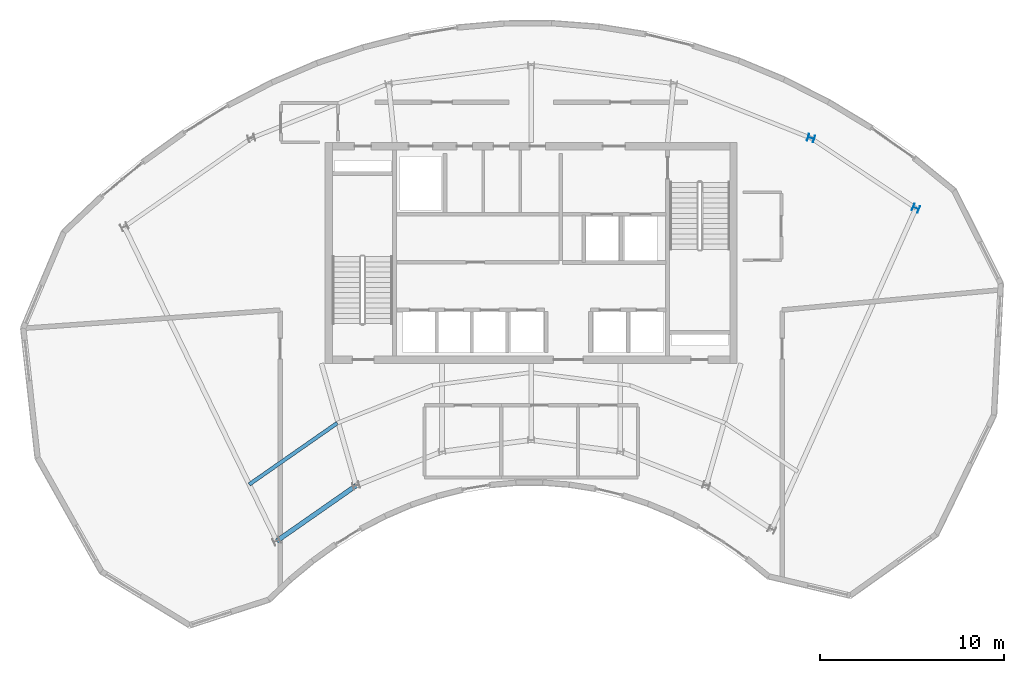
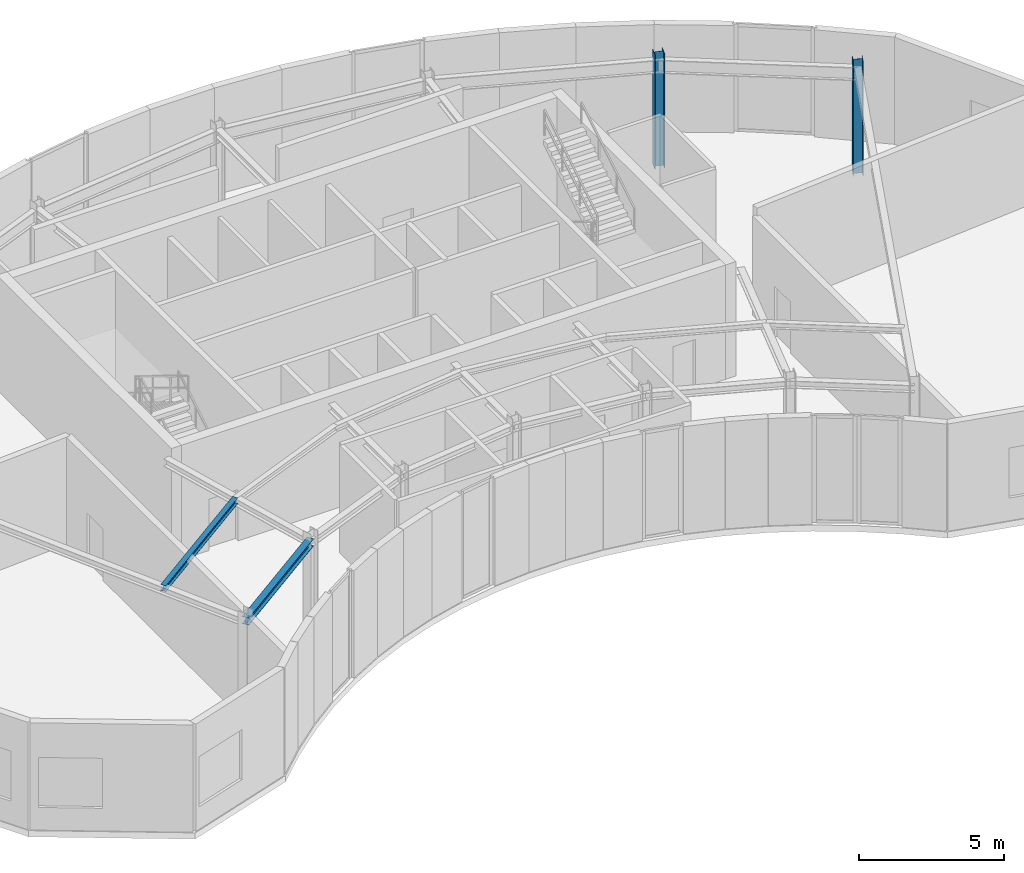
# One storey, part 2 of 10: 2 beams, 2 columns.
"""IFC4 building model written with IfcOpenShell, lengths in metres."""

from ifc_helpers import new_model, si_unit, direction, frame, origin, origin_2d, place, context, subcontext, project, spatial, i_section, extrude, source, transform, mapped, material, material_profile, profile_set, type_object, type_shapes, element, save


model = new_model("IFC4")

# Units and contexts
model_context = context("Model", 3, precision=1e-05, world=origin(), true_north=direction((0.0, 1.0)))
body_context = subcontext(model_context, "Body", "Model", "MODEL_VIEW")
ifc_project = project(units=[si_unit("LENGTHUNIT", "METRE"), si_unit("AREAUNIT", "SQUARE_METRE"), si_unit("VOLUMEUNIT", "CUBIC_METRE"), si_unit("PLANEANGLEUNIT", "RADIAN"), si_unit("MASSUNIT", "GRAM", prefix="KILO")], contexts=[model_context])

# Site, building, storey
site_placement = place(None, origin())
site = spatial("IfcSite", under=ifc_project, at=site_placement, CompositionType="ELEMENT")
building_placement = place(site_placement, origin())
building = spatial("IfcBuilding", under=site, at=building_placement, Name="Breltana Convention Tower", CompositionType="ELEMENT")
storey_placement = place(building_placement, frame((0.0, 0.0, 307.800048828125)))
storey = spatial("IfcBuildingStorey", under=building, at=storey_placement, Name="L75", CompositionType="ELEMENT", Elevation=307.800048828125)

# Columns
ifc_material = material(Name="Steel ASTM A992 Grade 50", Category="steel")
ifc_material_profile_1 = material_profile(ifc_material, i_section(OverallWidth=0.368896484375, OverallDepth=0.35595703125, WebThickness=0.01123046875, FlangeThickness=0.01806640625, at=origin_2d()), Name="W14X90")
ifc_profile_set_1 = profile_set([ifc_material_profile_1], Name="Steel ASTM A992 Grade 50")
column_type = type_object("IfcColumnType", Name="COL-STL-W14X90", PredefinedType="COLUMN", material=ifc_profile_set_1)
shared_shape_1 = source(origin(), body_context, "Body", "SweptSolid", [
    extrude(i_section(OverallWidth=0.368896484375, OverallDepth=0.35595703125, WebThickness=0.01123046875, FlangeThickness=0.01806640625, at=origin_2d()), origin(), (0.0, 0.0, 1.0), 4.800048828125),
])
type_shapes(column_type, [shared_shape_1])
for number, where, z_axis, x_axis, name in (
    (1, (63.208984375, 72.4423828125, 0.0), (0.0, 0.0, 1.0), (0.288697611798, 0.957420330337, 0.0), "L75 Tower Column R08-OUT"),
    (2, (68.910400390625, 68.63330078125, 0.0), (0.0, 0.0, 1.0), (0.409126902895, 0.912477494148, 0.0), "L75 Tower Column R09-OUT"),
):
    element("IfcColumn", number, at=place(storey_placement, frame(where, z_axis=z_axis, x_axis=x_axis)), inside=storey, type_object=column_type, Name=name, PredefinedType="COLUMN", context=body_context, shape_type="MappedRepresentation", body=[
        mapped(shared_shape_1, transform((0.0, 0.0, 0.0), scale=1.0)),
    ])

# Beams
ifc_material_profile_2 = material_profile(ifc_material, i_section(OverallWidth=0.25390625, OverallDepth=0.305908203125, WebThickness=0.0087890625, FlangeThickness=0.0146484375, at=origin_2d()), Name="W12X53")
ifc_profile_set_2 = profile_set([ifc_material_profile_2], Name="Steel ASTM A992 Grade 50")
beam_type_1 = type_object("IfcBeamType", Name="BM-CN-W12X53", PredefinedType="BEAM", material=ifc_profile_set_2)
shared_shape_2 = source(origin(), body_context, "Body", "SweptSolid", [
    extrude(i_section(OverallWidth=0.25390625, OverallDepth=0.305908203125, WebThickness=0.0087890625, FlangeThickness=0.0146484375, at=origin_2d()), origin(), (0.0, 0.0, 1.0), 5.265869140625),
])
beam_1_placement = place(storey_placement, frame((34.166259765625, 50.544921875, 4.346923828125), z_axis=(0.820167429517, 0.572123577176, 0.0), x_axis=(-0.572123577176, 0.820167429517, 0.0)))
element("IfcBeam", 3, at=beam_1_placement, inside=storey, type_object=beam_type_1, Name="L75 Inner Ring Beam 03", PredefinedType="BEAM", context=body_context, shape_type="MappedRepresentation", body=[
    mapped(shared_shape_2, transform((0.0, 0.0, 0.0), scale=1.0)),
])
ifc_material_profile_3 = material_profile(ifc_material, i_section(OverallWidth=0.201904296875, OverallDepth=0.2470703125, WebThickness=0.00732421875, FlangeThickness=0.010986328125, at=origin_2d()), Name="W10X33")
ifc_profile_set_3 = profile_set([ifc_material_profile_3], Name="Steel ASTM A992 Grade 50")
beam_type_2 = type_object("IfcBeamType", Name="BM-LN-W10X33", PredefinedType="LINTEL", material=ifc_profile_set_3)
shared_shape_3 = source(origin(), body_context, "Body", "SweptSolid", [
    extrude(i_section(OverallWidth=0.201904296875, OverallDepth=0.2470703125, WebThickness=0.00732421875, FlangeThickness=0.010986328125, at=origin_2d()), origin(), (0.0, 0.0, 1.0), 5.8330078125),
])
type_shapes(beam_type_2, [shared_shape_3])
beam_2_placement = place(storey_placement, frame((32.676025390625, 53.619873046875, 4.37646484375), z_axis=(0.820198204115, 0.572079457739, 0.0), x_axis=(-0.572079457739, 0.820198204115, 0.0)))
element("IfcBeam", 4, at=beam_2_placement, inside=storey, type_object=beam_type_2, Name="L75 Composite Floor Joist 03.1", PredefinedType="LINTEL", context=body_context, shape_type="MappedRepresentation", body=[
    mapped(shared_shape_3, transform((0.0, 0.0, 0.0), scale=1.0)),
])

save(model, "model.ifc")
